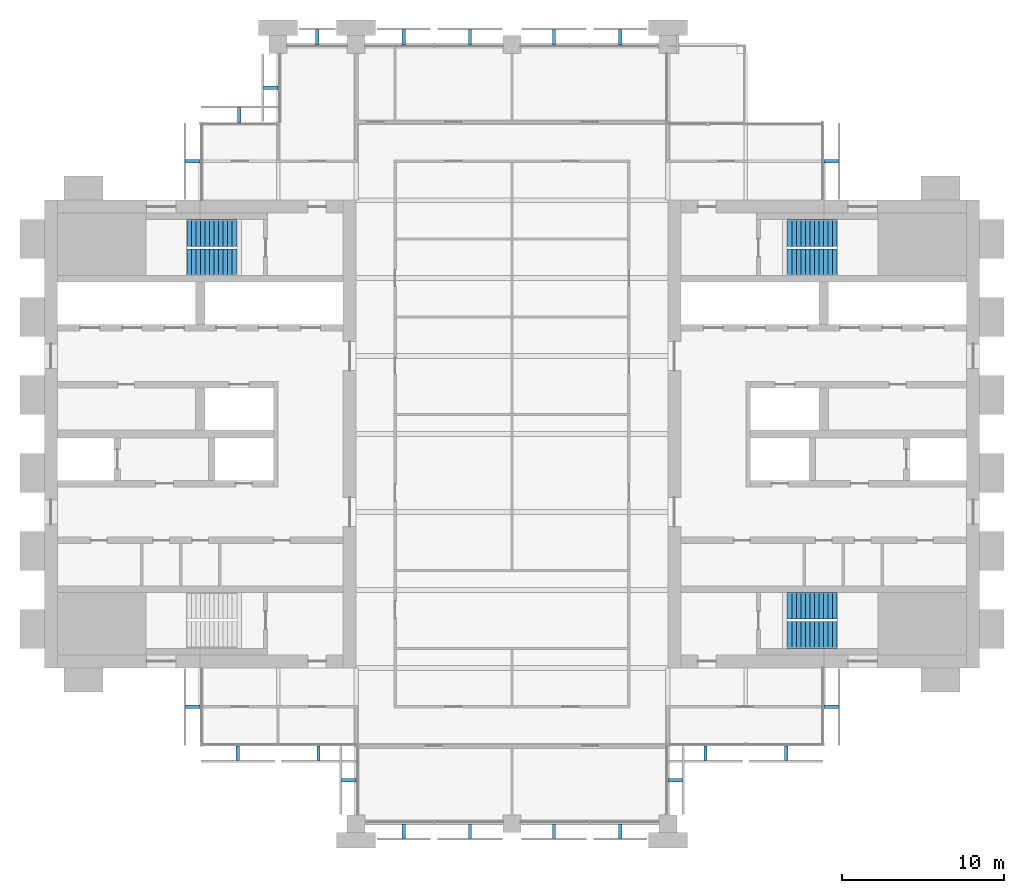
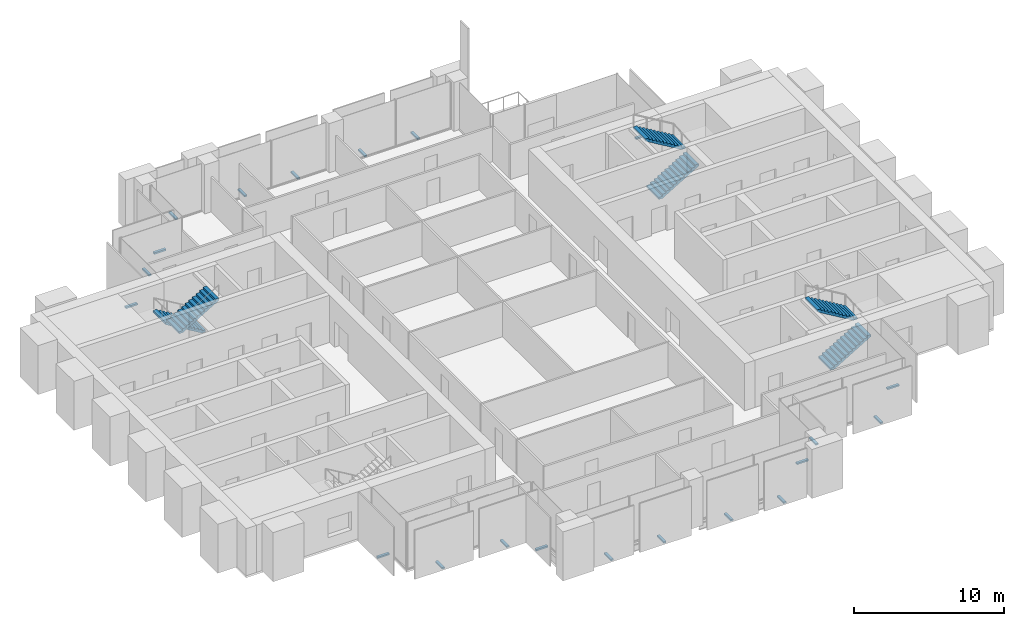
# One storey, part 12 of 13: 21 discrete accessories, 6 stair flights, 3 elements without a shape of their own.
"""IFC4 building model written with IfcOpenShell, lengths in metres."""

from ifc_helpers import new_model, si_unit, direction, frame, origin, origin_2d, place, context, subcontext, project, spatial, polyline, rectangle, outline, extrude, material, type_object, element, aggregate, save


model = new_model("IFC4")

# Units and contexts
model_context = context("Model", 3, precision=1e-05, world=origin(), true_north=direction((0.0, 1.0)))
body_context = subcontext(model_context, "Body", "Model", "MODEL_VIEW")
ifc_project = project(units=[si_unit("LENGTHUNIT", "METRE"), si_unit("AREAUNIT", "SQUARE_METRE"), si_unit("VOLUMEUNIT", "CUBIC_METRE"), si_unit("PLANEANGLEUNIT", "RADIAN"), si_unit("MASSUNIT", "GRAM", prefix="KILO")], contexts=[model_context])

# Site, building, storey
site_placement = place(None, origin())
site = spatial("IfcSite", under=ifc_project, at=site_placement, CompositionType="ELEMENT")
building_placement = place(site_placement, origin())
building = spatial("IfcBuilding", under=site, at=building_placement, Name="Baori Bourse Tower", CompositionType="ELEMENT")
storey_placement = place(building_placement, frame((0.0, 0.0, 205.199951171875)))
storey = spatial("IfcBuildingStorey", under=building, at=storey_placement, Name="L44", CompositionType="ELEMENT", Elevation=205.199951171875)

# Stair, stair flights
ifc_material_1 = material(Name="Concrete f'c 50 MPa", Category="concrete")
stair_type = type_object("IfcStairType", Name="Core stair", PredefinedType="HALF_TURN_STAIR", material=ifc_material_1)
stair_1_placement = place(storey_placement, origin())
stair_1 = element("IfcStair", 1, at=stair_1_placement, inside=storey, type_object=stair_type, Name="L44 Stair WB", PredefinedType="HALF_TURN_STAIR")
ifc_material_2 = material(Name="Concrete f'c 50 MPa", Category="concrete")
stair_flight_type = type_object("IfcStairFlightType", Name="Core stair flight", PredefinedType="STRAIGHT", material=ifc_material_2)
stair_flight_1_placement = place(storey_placement, frame((11.85009765625, 36.375, 0.0), z_axis=(0.0, 0.0, 1.0), x_axis=(-1.0, 0.0, 0.0)))
stair_flight_1 = element("IfcStairFlight", 2, at=stair_flight_1_placement, type_object=stair_flight_type, Name="ST2 flight 1", NumberOfRisers=12, NumberOfTreads=11, PredefinedType="STRAIGHT", RiserHeight=0.166666667, TreadLength=0.28, context=body_context, shape_type="SweptSolid", body=[
    extrude(outline(polyline([(0.0, 0.0), (0.0, 0.166748046875), (0.280029296875, 0.166748046875), (0.280029296875, 0.333251953125), (0.56005859375, 0.333251953125), (0.56005859375, 0.5), (0.840087890625, 0.5), (0.840087890625, 0.666748046875), (1.1201171875, 0.666748046875), (1.1201171875, 0.833251953125), (1.39990234375, 0.833251953125), (1.39990234375, 1.0), (1.679931640625, 1.0), (1.679931640625, 1.166748046875), (1.9599609375, 1.166748046875), (1.9599609375, 1.333251953125), (2.239990234375, 1.333251953125), (2.239990234375, 1.5), (2.52001953125, 1.5), (2.52001953125, 1.666748046875), (2.800048828125, 1.666748046875), (2.800048828125, 1.833251953125), (3.080078125, 1.833251953125), (3.080078125, 2.0), (3.080078125, 1.658935546875), (0.29296875, 0.0), (0.0, 0.0)])), frame((0.0, 0.824951171875, 0.0), z_axis=(0.0, -1.0, 0.0), x_axis=(1.0, 0.0, 0.0)), (0.0, 0.0, 1.0), 1.64990234375),
])
stair_flight_2_placement = place(storey_placement, frame((8.77001953125, 34.574951171875, 2.0), z_axis=(0.0, 0.0, 1.0), x_axis=(1.0, 0.0, 0.0)))
stair_flight_2 = element("IfcStairFlight", 3, at=stair_flight_2_placement, type_object=stair_flight_type, Name="ST2 flight 2", NumberOfRisers=12, NumberOfTreads=11, PredefinedType="STRAIGHT", RiserHeight=0.166666667, TreadLength=0.28, context=body_context, shape_type="SweptSolid", body=[
    extrude(outline(polyline([(0.0, 0.0), (0.0, 0.166748046875), (0.280029296875, 0.166748046875), (0.280029296875, 0.333251953125), (0.56005859375, 0.333251953125), (0.56005859375, 0.5), (0.840087890625, 0.5), (0.840087890625, 0.666748046875), (1.1201171875, 0.666748046875), (1.1201171875, 0.833251953125), (1.39990234375, 0.833251953125), (1.39990234375, 1.0), (1.679931640625, 1.0), (1.679931640625, 1.166748046875), (1.9599609375, 1.166748046875), (1.9599609375, 1.333251953125), (2.239990234375, 1.333251953125), (2.239990234375, 1.5), (2.52001953125, 1.5), (2.52001953125, 1.666748046875), (2.800048828125, 1.666748046875), (2.800048828125, 1.833251953125), (3.080078125, 1.833251953125), (3.080078125, 2.0), (3.080078125, 1.658935546875), (0.29296875, 0.0), (0.0, 0.0)])), frame((0.0, 0.824951171875, 0.0), z_axis=(0.0, -1.0, 0.0), x_axis=(1.0, 0.0, 0.0)), (0.0, 0.0, 1.0), 1.64990234375),
])
aggregate(stair_1, [stair_flight_1, stair_flight_2])

stair_2_placement = place(storey_placement, origin())
stair_2 = element("IfcStair", 4, at=stair_2_placement, inside=storey, type_object=stair_type, Name="L44 Stair EA", PredefinedType="HALF_TURN_STAIR")
stair_flight_3_placement = place(storey_placement, frame((45.75, 11.625, 0.0), z_axis=(0.0, 0.0, 1.0), x_axis=(1.0, 0.0, 0.0)))
stair_flight_3 = element("IfcStairFlight", 5, at=stair_flight_3_placement, type_object=stair_flight_type, Name="ST3 flight 1", NumberOfRisers=12, NumberOfTreads=11, PredefinedType="STRAIGHT", RiserHeight=0.166666667, TreadLength=0.28, context=body_context, shape_type="SweptSolid", body=[
    extrude(outline(polyline([(0.0, 0.0), (0.0, 0.166748046875), (0.280029296875, 0.166748046875), (0.280029296875, 0.333251953125), (0.56005859375, 0.333251953125), (0.56005859375, 0.5), (0.840087890625, 0.5), (0.840087890625, 0.666748046875), (1.1201171875, 0.666748046875), (1.1201171875, 0.833251953125), (1.39990234375, 0.833251953125), (1.39990234375, 1.0), (1.679931640625, 1.0), (1.679931640625, 1.166748046875), (1.9599609375, 1.166748046875), (1.9599609375, 1.333251953125), (2.239990234375, 1.333251953125), (2.239990234375, 1.5), (2.52001953125, 1.5), (2.52001953125, 1.666748046875), (2.800048828125, 1.666748046875), (2.800048828125, 1.833251953125), (3.080078125, 1.833251953125), (3.080078125, 2.0), (3.080078125, 1.658935546875), (0.29296875, 0.0), (0.0, 0.0)])), frame((0.0, 0.824951171875, 0.0), z_axis=(0.0, -1.0, 0.0), x_axis=(1.0, 0.0, 0.0)), (0.0, 0.0, 1.0), 1.64990234375),
])
stair_flight_4_placement = place(storey_placement, frame((48.830078125, 13.425048828125, 2.0), z_axis=(0.0, 0.0, 1.0), x_axis=(-1.0, 0.0, 0.0)))
stair_flight_4 = element("IfcStairFlight", 6, at=stair_flight_4_placement, type_object=stair_flight_type, Name="ST3 flight 2", NumberOfRisers=12, NumberOfTreads=11, PredefinedType="STRAIGHT", RiserHeight=0.166666667, TreadLength=0.28, context=body_context, shape_type="SweptSolid", body=[
    extrude(outline(polyline([(0.0, 0.0), (0.0, 0.166748046875), (0.280029296875, 0.166748046875), (0.280029296875, 0.333251953125), (0.56005859375, 0.333251953125), (0.56005859375, 0.5), (0.840087890625, 0.5), (0.840087890625, 0.666748046875), (1.1201171875, 0.666748046875), (1.1201171875, 0.833251953125), (1.39990234375, 0.833251953125), (1.39990234375, 1.0), (1.679931640625, 1.0), (1.679931640625, 1.166748046875), (1.9599609375, 1.166748046875), (1.9599609375, 1.333251953125), (2.239990234375, 1.333251953125), (2.239990234375, 1.5), (2.52001953125, 1.5), (2.52001953125, 1.666748046875), (2.800048828125, 1.666748046875), (2.800048828125, 1.833251953125), (3.080078125, 1.833251953125), (3.080078125, 2.0), (3.080078125, 1.658935546875), (0.29296875, 0.0), (0.0, 0.0)])), frame((0.0, 0.824951171875, 0.0), z_axis=(0.0, -1.0, 0.0), x_axis=(1.0, 0.0, 0.0)), (0.0, 0.0, 1.0), 1.64990234375),
])
aggregate(stair_2, [stair_flight_3, stair_flight_4])

stair_3_placement = place(storey_placement, origin())
stair_3 = element("IfcStair", 7, at=stair_3_placement, inside=storey, type_object=stair_type, Name="L44 Stair EB", PredefinedType="HALF_TURN_STAIR")
stair_flight_5_placement = place(storey_placement, frame((45.75, 34.574951171875, 0.0), z_axis=(0.0, 0.0, 1.0), x_axis=(1.0, 0.0, 0.0)))
stair_flight_5 = element("IfcStairFlight", 8, at=stair_flight_5_placement, type_object=stair_flight_type, Name="ST4 flight 1", NumberOfRisers=12, NumberOfTreads=11, PredefinedType="STRAIGHT", RiserHeight=0.166666667, TreadLength=0.28, context=body_context, shape_type="SweptSolid", body=[
    extrude(outline(polyline([(0.0, 0.0), (0.0, 0.166748046875), (0.280029296875, 0.166748046875), (0.280029296875, 0.333251953125), (0.56005859375, 0.333251953125), (0.56005859375, 0.5), (0.840087890625, 0.5), (0.840087890625, 0.666748046875), (1.1201171875, 0.666748046875), (1.1201171875, 0.833251953125), (1.39990234375, 0.833251953125), (1.39990234375, 1.0), (1.679931640625, 1.0), (1.679931640625, 1.166748046875), (1.9599609375, 1.166748046875), (1.9599609375, 1.333251953125), (2.239990234375, 1.333251953125), (2.239990234375, 1.5), (2.52001953125, 1.5), (2.52001953125, 1.666748046875), (2.800048828125, 1.666748046875), (2.800048828125, 1.833251953125), (3.080078125, 1.833251953125), (3.080078125, 2.0), (3.080078125, 1.658935546875), (0.29296875, 0.0), (0.0, 0.0)])), frame((0.0, 0.824951171875, 0.0), z_axis=(0.0, -1.0, 0.0), x_axis=(1.0, 0.0, 0.0)), (0.0, 0.0, 1.0), 1.64990234375),
])
stair_flight_6_placement = place(storey_placement, frame((48.830078125, 36.375, 2.0), z_axis=(0.0, 0.0, 1.0), x_axis=(-1.0, 0.0, 0.0)))
stair_flight_6 = element("IfcStairFlight", 9, at=stair_flight_6_placement, type_object=stair_flight_type, Name="ST4 flight 2", NumberOfRisers=12, NumberOfTreads=11, PredefinedType="STRAIGHT", RiserHeight=0.166666667, TreadLength=0.28, context=body_context, shape_type="SweptSolid", body=[
    extrude(outline(polyline([(0.0, 0.0), (0.0, 0.166748046875), (0.280029296875, 0.166748046875), (0.280029296875, 0.333251953125), (0.56005859375, 0.333251953125), (0.56005859375, 0.5), (0.840087890625, 0.5), (0.840087890625, 0.666748046875), (1.1201171875, 0.666748046875), (1.1201171875, 0.833251953125), (1.39990234375, 0.833251953125), (1.39990234375, 1.0), (1.679931640625, 1.0), (1.679931640625, 1.166748046875), (1.9599609375, 1.166748046875), (1.9599609375, 1.333251953125), (2.239990234375, 1.333251953125), (2.239990234375, 1.5), (2.52001953125, 1.5), (2.52001953125, 1.666748046875), (2.800048828125, 1.666748046875), (2.800048828125, 1.833251953125), (3.080078125, 1.833251953125), (3.080078125, 2.0), (3.080078125, 1.658935546875), (0.29296875, 0.0), (0.0, 0.0)])), frame((0.0, 0.824951171875, 0.0), z_axis=(0.0, -1.0, 0.0), x_axis=(1.0, 0.0, 0.0)), (0.0, 0.0, 1.0), 1.64990234375),
])
aggregate(stair_3, [stair_flight_5, stair_flight_6])

# Discrete accessories
ifc_material_3 = material(Name="Pale anodised aluminium", Category="aluminium")
discrete_accessory_type = type_object("IfcDiscreteAccessoryType", Name="OS2 Outer skin bracket", PredefinedType="BRACKET", material=ifc_material_3)
for number, where, z_axis, x_axis, name in (
    (10, (48.449951171875, 40.800048828125, -0.143798828125), (0.0, 0.0, 1.0), (0.0, 1.0, 0.0), "Outer skin bracket L44 1"),
    (11, (35.46240234375, 48.449951171875, -0.143798828125), (0.0, 0.0, 1.0), (-1.0, 0.0, 0.0), "Outer skin bracket L44 2"),
    (12, (31.387451171875, 48.449951171875, -0.143798828125), (0.0, 0.0, 1.0), (-1.0, 0.0, 0.0), "Outer skin bracket L44 3"),
    (13, (26.21240234375, 48.449951171875, -0.143798828125), (0.0, 0.0, 1.0), (-1.0, 0.0, 0.0), "Outer skin bracket L44 4"),
    (14, (22.137451171875, 48.449951171875, -0.143798828125), (0.0, 0.0, 1.0), (-1.0, 0.0, 0.0), "Outer skin bracket L44 5"),
    (15, (16.800048828125, 48.449951171875, -0.143798828125), (0.0, 0.0, 1.0), (-1.0, 0.0, 0.0), "Outer skin bracket L44 6"),
    (16, (13.949951171875, 45.324951171875, -0.143798828125), (0.0, 0.0, 1.0), (0.0, -1.0, 0.0), "Outer skin bracket L44 7"),
    (17, (12.0, 43.64990234375, -0.143798828125), (0.0, 0.0, 1.0), (-1.0, 0.0, 0.0), "Outer skin bracket L44 8"),
    (18, (9.14990234375, 40.800048828125, -0.143798828125), (0.0, 0.0, 1.0), (0.0, -1.0, 0.0), "Outer skin bracket L44 9"),
    (19, (9.14990234375, 7.199951171875, -0.143798828125), (0.0, 0.0, 1.0), (0.0, -1.0, 0.0), "Outer skin bracket L44 10"),
    (20, (11.91259765625, 4.35009765625, -0.143798828125), (0.0, 0.0, 1.0), (1.0, 0.0, 0.0), "Outer skin bracket L44 11"),
    (21, (16.887451171875, 4.35009765625, -0.143798828125), (0.0, 0.0, 1.0), (1.0, 0.0, 0.0), "Outer skin bracket L44 12"),
    (22, (18.75, 2.675048828125, -0.143798828125), (0.0, 0.0, 1.0), (0.0, -1.0, 0.0), "Outer skin bracket L44 13"),
    (23, (22.137451171875, -0.449951171875, -0.143798828125), (0.0, 0.0, 1.0), (1.0, 0.0, 0.0), "Outer skin bracket L44 14"),
    (24, (26.21240234375, -0.449951171875, -0.143798828125), (0.0, 0.0, 1.0), (1.0, 0.0, 0.0), "Outer skin bracket L44 15"),
    (25, (31.387451171875, -0.449951171875, -0.143798828125), (0.0, 0.0, 1.0), (1.0, 0.0, 0.0), "Outer skin bracket L44 16"),
    (26, (35.46240234375, -0.449951171875, -0.143798828125), (0.0, 0.0, 1.0), (1.0, 0.0, 0.0), "Outer skin bracket L44 17"),
    (27, (38.85009765625, 2.675048828125, -0.143798828125), (0.0, 0.0, 1.0), (0.0, 1.0, 0.0), "Outer skin bracket L44 18"),
    (28, (40.71240234375, 4.35009765625, -0.143798828125), (0.0, 0.0, 1.0), (1.0, 0.0, 0.0), "Outer skin bracket L44 19"),
    (29, (45.6875, 4.35009765625, -0.143798828125), (0.0, 0.0, 1.0), (1.0, 0.0, 0.0), "Outer skin bracket L44 20"),
    (30, (48.449951171875, 7.199951171875, -0.143798828125), (0.0, 0.0, 1.0), (0.0, 1.0, 0.0), "Outer skin bracket L44 21"),
):
    element("IfcDiscreteAccessory", number, at=place(storey_placement, frame(where, z_axis=z_axis, x_axis=x_axis)), inside=storey, type_object=discrete_accessory_type, Name=name, PredefinedType="BRACKET", context=body_context, shape_type="SweptSolid", body=[
        extrude(rectangle(XDim=0.199951171875, YDim=0.89990234375, at=origin_2d()), origin(), (0.0, 0.0, 1.0), 0.1279296875),
    ])

save(model, "model.ifc")
